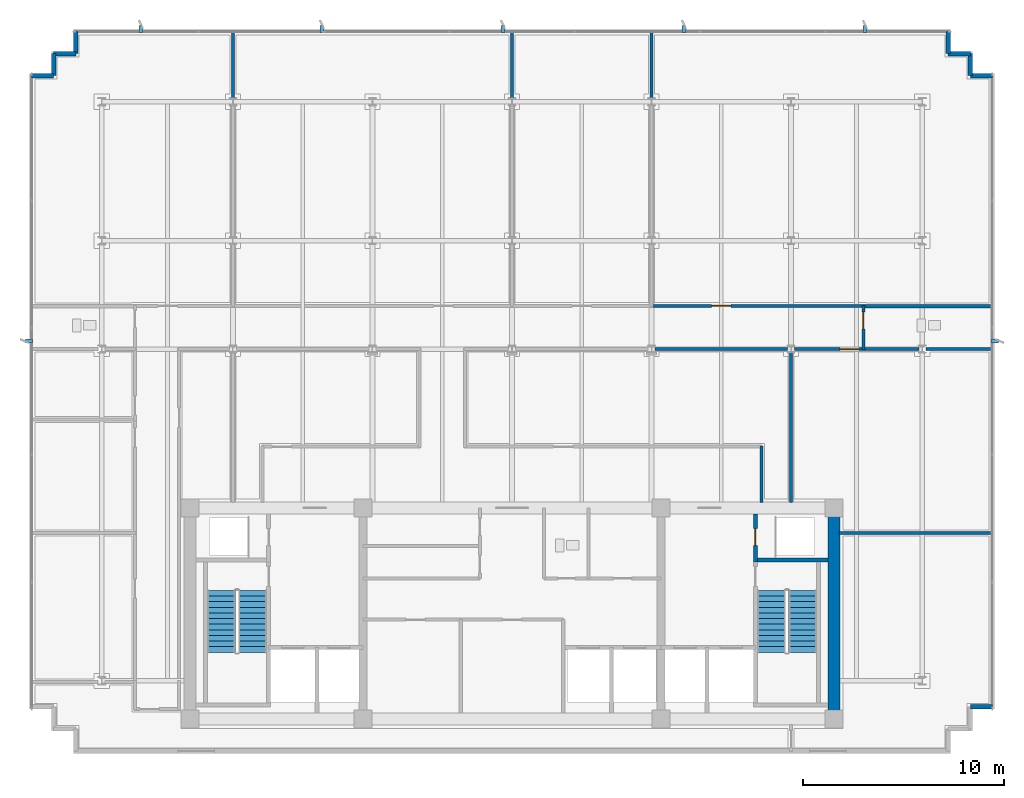
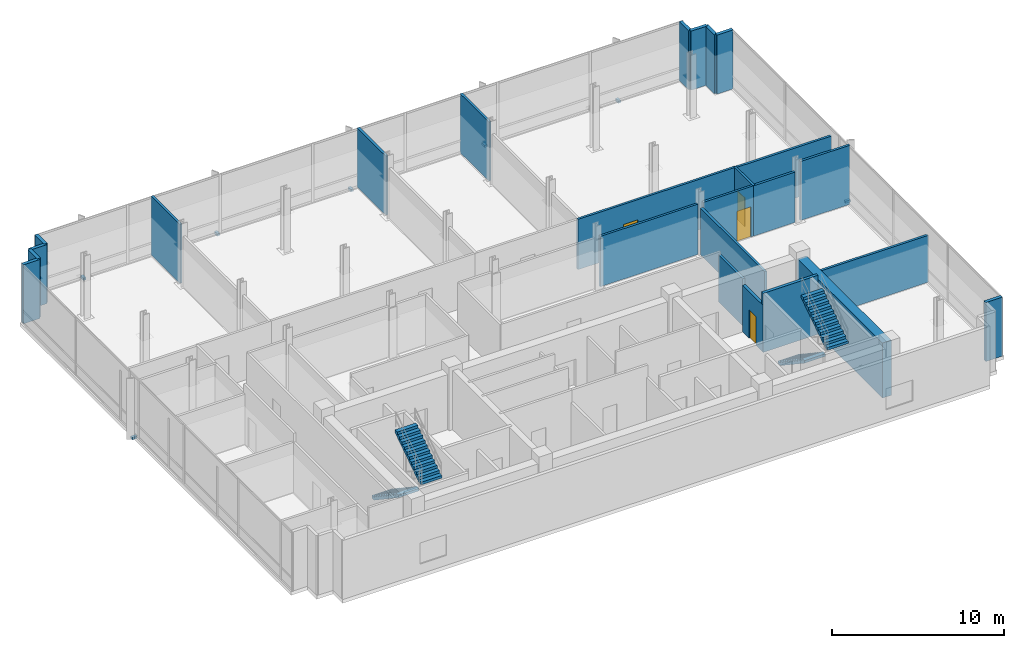
# One storey, part 12 of 17: 25 walls, 7 discrete accessories, 4 doors, 4 stair flights, 4 openings, 2 elements without a shape of their own.
"""IFC4 building model written with IfcOpenShell, lengths in metres."""

from ifc_helpers import new_model, si_unit, direction, frame, frame_2d, origin, origin_2d, place, context, subcontext, project, spatial, polyline, rectangle, outline, extrude, material, layer, layer_set, type_object, element, fill, aggregate, save


model = new_model("IFC4")

# Units and contexts
model_context = context("Model", 3, precision=1e-05, world=origin(), true_north=direction((0.0, 1.0)))
body_context = subcontext(model_context, "Body", "Model", "MODEL_VIEW")
ifc_project = project(units=[si_unit("LENGTHUNIT", "METRE"), si_unit("AREAUNIT", "SQUARE_METRE"), si_unit("VOLUMEUNIT", "CUBIC_METRE"), si_unit("PLANEANGLEUNIT", "RADIAN"), si_unit("MASSUNIT", "GRAM", prefix="KILO")], contexts=[model_context])

# Site, building, storey
site_placement = place(None, origin())
site = spatial("IfcSite", under=ifc_project, at=site_placement, CompositionType="ELEMENT")
building_placement = place(site_placement, origin())
building = spatial("IfcBuilding", under=site, at=building_placement, Name="Solmavex Isthmus Hotel", CompositionType="ELEMENT")
storey_placement = place(building_placement, frame((0.0, 0.0, 286.800048828125)))
storey = spatial("IfcBuildingStorey", under=building, at=storey_placement, Name="L78", CompositionType="ELEMENT", Elevation=286.800048828125)

# Walls
ifc_material_1 = material(Name="Precast Concrete C40/50", Category="concrete")
ifc_layer_1 = layer(ifc_material_1, 0.25)
ifc_layer_set_1 = layer_set([ifc_layer_1], Name="Precast Concrete C40/50")
wall_type_1 = type_object("IfcWallType", Name="EW-TWR-250", PredefinedType="STANDARD", material=ifc_layer_set_1)
wall_1_placement = place(storey_placement, frame((-23.889892578125, 18.989990234375, 0.0), z_axis=(0.0, 0.0, 1.0), x_axis=(1.0, 0.0, 0.0)))
element("IfcWall", 1, at=wall_1_placement, inside=storey, type_object=wall_type_1, Name="Serrated Corner Facade Panel L78-06", PredefinedType="STANDARD", context=body_context, shape_type="SweptSolid", body=[
    extrude(rectangle(XDim=1.099853515625, YDim=0.219970703125, at=frame_2d((0.5498046875, 0.0))), origin(), (0.0, 0.0, 1.0), 4.199951171875),
])
for number, where, z_axis, x_axis, name in (
    (2, (-22.7900390625, 18.989990234375, 0.0), (0.0, 0.0, 1.0), (0.0, 1.0, 0.0), "Serrated Corner Facade Panel L78-07"),
    (3, (-22.7900390625, 20.090087890625, 0.0), (0.0, 0.0, 1.0), (1.0, 0.0, 0.0), "Serrated Corner Facade Panel L78-08"),
):
    element("IfcWall", number, at=place(storey_placement, frame(where, z_axis=z_axis, x_axis=x_axis)), inside=storey, type_object=wall_type_1, Name=name, PredefinedType="STANDARD", context=body_context, shape_type="SweptSolid", body=[
        extrude(rectangle(XDim=1.10009765625, YDim=0.219970703125, at=frame_2d((0.550048828125, 0.0))), origin(), (0.0, 0.0, 1.0), 4.199951171875),
    ])
for number, where, z_axis, x_axis, name in (
    (4, (-21.68994140625, 20.090087890625, 0.0), (0.0, 0.0, 1.0), (0.0, 1.0, 0.0), "Serrated Corner Facade Panel L78-09"),
    (5, (21.68994140625, 21.18994140625, 0.0), (0.0, 0.0, 1.0), (0.0, -1.0, 0.0), "Serrated Corner Facade Panel L78-11"),
):
    element("IfcWall", number, at=place(storey_placement, frame(where, z_axis=z_axis, x_axis=x_axis)), inside=storey, type_object=wall_type_1, Name=name, PredefinedType="STANDARD", context=body_context, shape_type="SweptSolid", body=[
        extrude(rectangle(XDim=1.099853515625, YDim=0.219970703125, at=frame_2d((0.5498046875, 0.0))), origin(), (0.0, 0.0, 1.0), 4.199951171875),
    ])
for number, where, z_axis, x_axis, name in (
    (6, (21.68994140625, 20.090087890625, 0.0), (0.0, 0.0, 1.0), (1.0, 0.0, 0.0), "Serrated Corner Facade Panel L78-12"),
    (7, (22.7900390625, 20.090087890625, 0.0), (0.0, 0.0, 1.0), (0.0, -1.0, 0.0), "Serrated Corner Facade Panel L78-13"),
):
    element("IfcWall", number, at=place(storey_placement, frame(where, z_axis=z_axis, x_axis=x_axis)), inside=storey, type_object=wall_type_1, Name=name, PredefinedType="STANDARD", context=body_context, shape_type="SweptSolid", body=[
        extrude(rectangle(XDim=1.10009765625, YDim=0.219970703125, at=frame_2d((0.550048828125, 0.0))), origin(), (0.0, 0.0, 1.0), 4.199951171875),
    ])
for number, where, z_axis, x_axis, name in (
    (8, (22.7900390625, 18.989990234375, 0.0), (0.0, 0.0, 1.0), (1.0, 0.0, 0.0), "Serrated Corner Facade Panel L78-14"),
    (9, (23.889892578125, -12.389892578125, 0.0), (0.0, 0.0, 1.0), (-1.0, 0.0, 0.0), "Serrated Corner Facade Panel L78-16"),
):
    element("IfcWall", number, at=place(storey_placement, frame(where, z_axis=z_axis, x_axis=x_axis)), inside=storey, type_object=wall_type_1, Name=name, PredefinedType="STANDARD", context=body_context, shape_type="SweptSolid", body=[
        extrude(rectangle(XDim=1.099853515625, YDim=0.219970703125, at=frame_2d((0.5498046875, 0.0))), origin(), (0.0, 0.0, 1.0), 4.199951171875),
    ])
ifc_material_2 = material(Name="Gypsum plasterboard lining", Category="gypsum")
ifc_layer_2 = layer(ifc_material_2, 0.159912109375)
ifc_layer_set_2 = layer_set([ifc_layer_2], Name="Gypsum plasterboard lining")
wall_type_2 = type_object("IfcWallType", Name="IW-COMP-160", PredefinedType="PARTITIONING", material=ifc_layer_set_2)
for number, where, z_axis, x_axis, name in (
    (10, (-13.8720703125, 21.219970703125, 0.0), (0.0, 0.0, 1.0), (0.0, -1.0, 0.0), "Interior Partition Wall W-L78-P032"),
    (11, (0.0, 21.219970703125, 0.0), (0.0, 0.0, 1.0), (0.0, -1.0, 0.0), "Interior Partition Wall W-L78-P036"),
    (12, (6.93603515625, 21.219970703125, 0.0), (0.0, 0.0, 1.0), (0.0, -1.0, 0.0), "Interior Partition Wall W-L78-P039"),
):
    element("IfcWall", number, at=place(storey_placement, frame(where, z_axis=z_axis, x_axis=x_axis)), inside=storey, type_object=wall_type_2, Name=name, PredefinedType="PARTITIONING", context=body_context, shape_type="SweptSolid", body=[
        extrude(rectangle(XDim=3.344970703125, YDim=0.159912109375, at=frame_2d((1.67236328125, 0.0))), origin(), (0.0, 0.0, 1.0), 4.199951171875),
    ])
wall_2_placement = place(storey_placement, frame((23.919921875, 7.530029296875, 0.0), z_axis=(0.0, 0.0, 1.0), x_axis=(-1.0, 0.0, 0.0)))
element("IfcWall", 13, at=wall_2_placement, inside=storey, type_object=wall_type_2, Name="Interior Partition Wall W-L78-P040", PredefinedType="PARTITIONING", context=body_context, shape_type="SweptSolid", body=[
    extrude(rectangle(XDim=6.488037109375, YDim=0.159912109375, at=frame_2d((3.244140625, 0.0))), origin(), (0.0, 0.0, 1.0), 3.5673828125),
])
wall_3_placement = place(storey_placement, frame((20.22509765625, 5.39990234375, 0.0), z_axis=(0.0, 0.0, 1.0), x_axis=(-1.0, 0.0, 0.0)))
element("IfcWall", 14, at=wall_3_placement, inside=storey, type_object=wall_type_2, Name="Interior Partition Wall W-L78-P043", PredefinedType="PARTITIONING", context=body_context, shape_type="SweptSolid", body=[
    extrude(rectangle(XDim=2.793212890625, YDim=0.159912109375, at=frame_2d((1.396484375, 0.0))), origin(), (0.0, 0.0, 1.0), 3.582275390625),
])
wall_4_placement = place(storey_placement, frame((23.919921875, 5.39990234375, 0.0), z_axis=(0.0, 0.0, 1.0), x_axis=(-1.0, 0.0, 0.0)))
element("IfcWall", 15, at=wall_4_placement, inside=storey, type_object=wall_type_2, Name="Interior Partition Wall W-L78-P044", PredefinedType="PARTITIONING", context=body_context, shape_type="SweptSolid", body=[
    extrude(rectangle(XDim=3.344970703125, YDim=0.159912109375, at=frame_2d((1.67236328125, 0.0))), origin(), (0.0, 0.0, 1.0), 4.199951171875),
])
wall_5_placement = place(storey_placement, frame((16.260009765625, -3.75, 0.0), z_axis=(0.0, 0.0, 1.0), x_axis=(1.0, 0.0, 0.0)))
element("IfcWall", 16, at=wall_5_placement, inside=storey, type_object=wall_type_2, Name="Interior Partition Wall W-L78-P051", PredefinedType="PARTITIONING", context=body_context, shape_type="SweptSolid", body=[
    extrude(rectangle(XDim=7.659912109375, YDim=0.159912109375, at=frame_2d((3.830078125, 0.0))), origin(), (0.0, 0.0, 1.0), 3.3349609375),
])
wall_6_placement = place(storey_placement, frame((13.8720703125, 5.22509765625, 0.0), z_axis=(0.0, 0.0, 1.0), x_axis=(0.0, -1.0, 0.0)))
element("IfcWall", 17, at=wall_6_placement, inside=storey, type_object=wall_type_2, Name="Interior Partition Wall W-L78-P052", PredefinedType="PARTITIONING", context=body_context, shape_type="SweptSolid", body=[
    extrude(rectangle(XDim=7.465087890625, YDim=0.159912109375, at=frame_2d((3.732421875, 0.0))), origin(), (0.0, 0.0, 1.0), 3.3349609375),
])

# Wall, opening, door
ifc_layer_3 = layer(ifc_material_2, 0.14990234375)
ifc_layer_set_3 = layer_set([ifc_layer_3], Name="Gypsum plasterboard lining")
wall_type_3 = type_object("IfcWallType", Name="IW-CORR-150", PredefinedType="PARTITIONING", material=ifc_layer_set_3)
wall_7_placement = place(storey_placement, frame((6.85400390625, 7.550048828125, 0.0), z_axis=(0.0, 0.0, 1.0), x_axis=(1.0, 0.0, 0.0)))
wall_7 = element("IfcWall", 18, at=wall_7_placement, inside=storey, type_object=wall_type_3, Name="Interior Partition Wall W-L78-P004", PredefinedType="PARTITIONING", context=body_context, shape_type="SweptSolid", body=[
    extrude(rectangle(XDim=10.657958984375, YDim=0.14990234375, at=frame_2d((5.3291015625, 0.0))), origin(), (0.0, 0.0, 1.0), 3.582275390625),
])
opening_1_placement = place(wall_7_placement, frame((3.076904296875, 0.0, 0.0)))
opening_1 = element("IfcOpeningElement", 19, at=opening_1_placement, cuts=wall_7, Name="Opening ID-C095", PredefinedType="OPENING", context=body_context, shape_type="SweptSolid", body=[
    extrude(rectangle(XDim=0.949951171875, YDim=2.14990234375, at=frame_2d((0.47509765625, 1.074951171875))), frame((0.0, 0.0849609375, 0.0), z_axis=(0.0, -1.0, 0.0), x_axis=(1.0, 0.0, 0.0)), (0.0, 0.0, 1.0), 0.169921875),
])
ifc_material_3 = material(Name="Hardwood timber", Category="wood")
door_type_1 = type_object("IfcDoorType", Name="IDR-FD60-0950", OperationType="NOTDEFINED", PredefinedType="DOOR", material=ifc_material_3)
door_1_placement = place(opening_1_placement, origin())
door_1 = element("IfcDoor", 20, at=door_1_placement, inside=storey, type_object=door_type_1, Name="Corporate Briefing Office Door L78-04", OperationType="SINGLE_SWING_RIGHT", OverallHeight=2.14990234375, OverallWidth=0.949951171875, PredefinedType="DOOR", context=body_context, shape_type="SweptSolid", body=[
    extrude(rectangle(XDim=0.949951171875, YDim=2.14990234375, at=frame_2d((0.47509765625, 1.074951171875))), frame((0.0, 0.02490234375, 0.0), z_axis=(0.0, -1.0, 0.0), x_axis=(1.0, 0.0, 0.0)), (0.0, 0.0, 1.0), 0.050048828125),
])
fill(opening_1, door_1)

wall_8_placement = place(storey_placement, frame((17.471923828125, 7.570068359375, 0.0), z_axis=(0.0, 0.0, 1.0), x_axis=(0.0, -1.0, 0.0)))
wall_8 = element("IfcWall", 21, at=wall_8_placement, inside=storey, type_object=wall_type_3, Name="Interior Partition Wall W-L78-P006", PredefinedType="PARTITIONING", context=body_context, shape_type="SweptSolid", body=[
    extrude(rectangle(XDim=2.2099609375, YDim=0.14990234375, at=frame_2d((1.10498046875, 0.0))), origin(), (0.0, 0.0, 1.0), 3.582275390625),
])
opening_2_placement = place(wall_8_placement, frame((0.322265625, 0.0, 0.0)))
opening_2 = element("IfcOpeningElement", 22, at=opening_2_placement, cuts=wall_8, Name="Opening ID-R085", PredefinedType="OPENING", context=body_context, shape_type="SweptSolid", body=[
    extrude(rectangle(XDim=0.85009765625, YDim=2.050048828125, at=frame_2d((0.425048828125, 1.02490234375))), frame((0.0, 0.0849609375, 0.0), z_axis=(0.0, -1.0, 0.0), x_axis=(1.0, 0.0, 0.0)), (0.0, 0.0, 1.0), 0.169921875),
])
ifc_material_4 = material(Name="Steel ASTM A500 Grade C", Category="steel")
door_type_2 = type_object("IfcDoorType", Name="IDR-FD60-0850", OperationType="NOTDEFINED", PredefinedType="DOOR", material=ifc_material_4)
door_2_placement = place(opening_2_placement, frame((0.85009765625, 0.0, 0.0), z_axis=(0.0, 0.0, 1.0), x_axis=(-1.0, 0.0, 0.0)))
door_2 = element("IfcDoor", 23, at=door_2_placement, inside=storey, type_object=door_type_2, Name="Public Restroom WC Door L78-06", OperationType="SINGLE_SWING_RIGHT", OverallHeight=2.050048828125, OverallWidth=0.85009765625, PredefinedType="DOOR", context=body_context, shape_type="SweptSolid", body=[
    extrude(rectangle(XDim=0.85009765625, YDim=2.050048828125, at=frame_2d((0.425048828125, 1.02490234375))), frame((0.0, 0.02490234375, 0.0), z_axis=(0.0, -1.0, 0.0), x_axis=(1.0, 0.0, 0.0)), (0.0, 0.0, 1.0), 0.050048828125),
])
fill(opening_2, door_2)

# Walls
wall_9_placement = place(storey_placement, frame((13.697021484375, 5.39990234375, 0.0), z_axis=(0.0, 0.0, 1.0), x_axis=(-1.0, 0.0, 0.0)))
element("IfcWall", 24, at=wall_9_placement, inside=storey, type_object=wall_type_3, Name="Interior Partition Wall W-L78-P021", PredefinedType="PARTITIONING", context=body_context, shape_type="SweptSolid", body=[
    extrude(rectangle(XDim=6.5859375, YDim=0.14990234375, at=frame_2d((3.29296875, 0.0))), origin(), (0.0, 0.0, 1.0), 3.582275390625),
])
wall_10_placement = place(storey_placement, frame((12.39990234375, 0.590087890625, 0.0), z_axis=(0.0, 0.0, 1.0), x_axis=(0.0, -1.0, 0.0)))
element("IfcWall", 25, at=wall_10_placement, inside=storey, type_object=wall_type_3, Name="Interior Partition Wall W-L78-P028", PredefinedType="PARTITIONING", context=body_context, shape_type="SweptSolid", body=[
    extrude(rectangle(XDim=2.830078125, YDim=0.14990234375, at=frame_2d((1.4150390625, 0.0))), origin(), (0.0, 0.0, 1.0), 3.3349609375),
])

# Wall, opening, door
wall_11_placement = place(storey_placement, frame((17.511962890625, 5.39990234375, 0.0), z_axis=(0.0, 0.0, 1.0), x_axis=(-1.0, 0.0, 0.0)))
wall_11 = element("IfcWall", 26, at=wall_11_placement, inside=storey, type_object=wall_type_3, Name="Interior Partition Wall W-L78-P029", PredefinedType="PARTITIONING", context=body_context, shape_type="SweptSolid", body=[
    extrude(rectangle(XDim=3.46484375, YDim=0.14990234375, at=frame_2d((1.732421875, 0.0))), origin(), (0.0, 0.0, 1.0), 3.582275390625),
])
opening_3_placement = place(wall_11_placement, frame((0.26220703125, 0.0, 0.0)))
opening_3 = element("IfcOpeningElement", 27, at=opening_3_placement, cuts=wall_11, Name="Opening ID-C095", PredefinedType="OPENING", context=body_context, shape_type="SweptSolid", body=[
    extrude(rectangle(XDim=0.949951171875, YDim=2.14990234375, at=frame_2d((0.47509765625, 1.074951171875))), frame((0.0, 0.0849609375, 0.0), z_axis=(0.0, -1.0, 0.0), x_axis=(1.0, 0.0, 0.0)), (0.0, 0.0, 1.0), 0.169921875),
])
door_3_placement = place(opening_3_placement, origin())
door_3 = element("IfcDoor", 28, at=door_3_placement, inside=storey, type_object=door_type_1, Name="VIP Boardroom Door L78-15", OperationType="SINGLE_SWING_LEFT", OverallHeight=2.14990234375, OverallWidth=0.949951171875, PredefinedType="DOOR", context=body_context, shape_type="SweptSolid", body=[
    extrude(rectangle(XDim=0.949951171875, YDim=2.14990234375, at=frame_2d((0.47509765625, 1.074951171875))), frame((0.0, 0.02490234375, 0.0), z_axis=(0.0, -1.0, 0.0), x_axis=(1.0, 0.0, 0.0)), (0.0, 0.0, 1.0), 0.050048828125),
])
fill(opening_3, door_3)

ifc_material_5 = material(Name="Concrete C40/50", Category="concrete")
ifc_layer_4 = layer(ifc_material_5, 0.199951171875)
ifc_layer_set_4 = layer_set([ifc_layer_4], Name="Concrete C40/50")
wall_type_4 = type_object("IfcWallType", Name="IW-SHAFT-200", PredefinedType="PARTITIONING", material=ifc_layer_set_4)
wall_12_placement = place(storey_placement, frame((12.10009765625, -5.199951171875, 0.0), z_axis=(0.0, 0.0, 1.0), x_axis=(0.0, 1.0, 0.0)))
wall_12 = element("IfcWall", 29, at=wall_12_placement, inside=storey, type_object=wall_type_4, Name="Interior Partition Wall W-L78-RSE-W", PredefinedType="PARTITIONING", context=body_context, shape_type="SweptSolid", body=[
    extrude(rectangle(XDim=2.39990234375, YDim=0.199951171875, at=frame_2d((1.199951171875, 0.0))), origin(), (0.0, 0.0, 1.0), 3.3349609375),
])
opening_4_placement = place(wall_12_placement, frame((0.824951171875, 0.0, 0.0)))
opening_4 = element("IfcOpeningElement", 30, at=opening_4_placement, cuts=wall_12, Name="Opening ID-R085", PredefinedType="OPENING", context=body_context, shape_type="SweptSolid", body=[
    extrude(rectangle(XDim=0.85009765625, YDim=2.050048828125, at=frame_2d((0.425048828125, 1.02490234375))), frame((0.0, 0.10986328125, 0.0), z_axis=(0.0, -1.0, 0.0), x_axis=(1.0, 0.0, 0.0)), (0.0, 0.0, 1.0), 0.219970703125),
])
door_4_placement = place(opening_4_placement, frame((0.85009765625, 0.0, 0.0), z_axis=(0.0, 0.0, 1.0), x_axis=(-1.0, 0.0, 0.0)))
door_4 = element("IfcDoor", 31, at=door_4_placement, inside=storey, type_object=door_type_2, Name="Mechanical Riser Door L78", OperationType="SINGLE_SWING_LEFT", OverallHeight=2.050048828125, OverallWidth=0.85009765625, PredefinedType="DOOR", context=body_context, shape_type="SweptSolid", body=[
    extrude(rectangle(XDim=0.85009765625, YDim=2.050048828125, at=frame_2d((0.425048828125, 1.02490234375))), frame((0.0, 0.02490234375, 0.0), z_axis=(0.0, -1.0, 0.0), x_axis=(1.0, 0.0, 0.0)), (0.0, 0.0, 1.0), 0.050048828125),
])
fill(opening_4, door_4)

# Walls
ifc_material_6 = material(Name="Concrete C50/60", Category="concrete")
ifc_layer_5 = layer(ifc_material_6, 0.60009765625)
ifc_layer_set_5 = layer_set([ifc_layer_5], Name="Concrete C50/60")
wall_type_5 = type_object("IfcWallType", Name="WALL-CW-600", PredefinedType="SHEAR", material=ifc_layer_set_5)
wall_13_placement = place(storey_placement, frame((16.0, -12.699951171875, 0.0), z_axis=(0.0, 0.0, 1.0), x_axis=(0.0, 1.0, 0.0)))
element("IfcWall", 32, at=wall_13_placement, inside=storey, type_object=wall_type_5, Name="Core Shear Wall East L78", PredefinedType="SHEAR", context=body_context, shape_type="SweptSolid", body=[
    extrude(rectangle(XDim=9.89990234375, YDim=0.60009765625, at=frame_2d((4.949951171875, 0.0))), origin(), (0.0, 0.0, 1.0), 3.919921875),
])
ifc_layer_6 = layer(ifc_material_5, 0.199951171875)
ifc_layer_set_6 = layer_set([ifc_layer_6], Name="Concrete C40/50")
wall_type_6 = type_object("IfcWallType", Name="WALL-SW-200", PredefinedType="SOLIDWALL", material=ifc_layer_set_6)
wall_14_placement = place(storey_placement, frame((12.0, -5.10009765625, 0.0), z_axis=(0.0, 0.0, 1.0), x_axis=(1.0, 0.0, 0.0)))
element("IfcWall", 33, at=wall_14_placement, inside=storey, type_object=wall_type_6, Name="Stairwell Structural Wall SW-L78-ST2-N", PredefinedType="SOLIDWALL", context=body_context, shape_type="SweptSolid", body=[
    extrude(rectangle(XDim=3.699951171875, YDim=0.199951171875, at=frame_2d((1.85009765625, 0.0))), origin(), (0.0, 0.0, 1.0), 4.199951171875),
])

# Stair, stair flights
stair_type_1 = type_object("IfcStairType", Name="STR-ST-1", PredefinedType="HALF_TURN_STAIR", material=ifc_material_5)
stair_1_placement = place(storey_placement, origin())
stair_1 = element("IfcStair", 34, at=stair_1_placement, inside=storey, type_object=stair_type_1, Name="L78 Protected Exit Stair ST-1", PredefinedType="HALF_TURN_STAIR")
stair_flight_type_1 = type_object("IfcStairFlightType", Name="SFL-ST-1", PredefinedType="STRAIGHT", material=ifc_material_5)
stair_flight_1_placement = place(storey_placement, frame((-14.449951171875, -6.60009765625, 0.0), z_axis=(0.0, 0.0, 1.0), x_axis=(0.0, -1.0, 0.0)))
stair_flight_1 = element("IfcStairFlight", 35, at=stair_flight_1_placement, type_object=stair_flight_type_1, Name="ST-1 flight 1", NumberOfRisers=12, NumberOfTreads=11, PredefinedType="STRAIGHT", RiserHeight=0.1875, TreadLength=0.28, context=body_context, shape_type="SweptSolid", body=[
    extrude(outline(polyline([(0.0, 0.0), (0.0, 0.1875), (0.280029296875, 0.1875), (0.280029296875, 0.375), (0.56005859375, 0.375), (0.56005859375, 0.5625), (0.840087890625, 0.5625), (0.840087890625, 0.75), (1.1201171875, 0.75), (1.1201171875, 0.9375), (1.39990234375, 0.9375), (1.39990234375, 1.125), (1.679931640625, 1.125), (1.679931640625, 1.3125), (1.9599609375, 1.3125), (1.9599609375, 1.5), (2.239990234375, 1.5), (2.239990234375, 1.6875), (2.52001953125, 1.6875), (2.52001953125, 1.875), (2.800048828125, 1.875), (2.800048828125, 2.0625), (3.080078125, 2.0625), (3.080078125, 2.25), (3.080078125, 1.882080078125), (0.26953125, 0.0), (0.0, 0.0)])), frame((0.0, 0.699951171875, 0.0), z_axis=(0.0, -1.0, 0.0), x_axis=(1.0, 0.0, 0.0)), (0.0, 0.0, 1.0), 1.39990234375),
])
stair_flight_2_placement = place(storey_placement, frame((-12.89990234375, -9.679931640625, 2.25), z_axis=(0.0, 0.0, 1.0), x_axis=(0.0, 1.0, 0.0)))
stair_flight_2 = element("IfcStairFlight", 36, at=stair_flight_2_placement, type_object=stair_flight_type_1, Name="ST-1 flight 2", NumberOfRisers=12, NumberOfTreads=11, PredefinedType="STRAIGHT", RiserHeight=0.1875, TreadLength=0.28, context=body_context, shape_type="SweptSolid", body=[
    extrude(outline(polyline([(0.0, 0.0), (0.0, 0.1875), (0.280029296875, 0.1875), (0.280029296875, 0.375), (0.56005859375, 0.375), (0.56005859375, 0.5625), (0.840087890625, 0.5625), (0.840087890625, 0.75), (1.1201171875, 0.75), (1.1201171875, 0.9375), (1.39990234375, 0.9375), (1.39990234375, 1.125), (1.679931640625, 1.125), (1.679931640625, 1.3125), (1.9599609375, 1.3125), (1.9599609375, 1.5), (2.239990234375, 1.5), (2.239990234375, 1.6875), (2.52001953125, 1.6875), (2.52001953125, 1.875), (2.800048828125, 1.875), (2.800048828125, 2.0625), (3.080078125, 2.0625), (3.080078125, 2.25), (3.080078125, 1.882080078125), (0.26953125, 0.0), (0.0, 0.0)])), frame((0.0, 0.699951171875, 0.0), z_axis=(0.0, -1.0, 0.0), x_axis=(1.0, 0.0, 0.0)), (0.0, 0.0, 1.0), 1.39990234375),
])
aggregate(stair_1, [stair_flight_1, stair_flight_2])

stair_type_2 = type_object("IfcStairType", Name="STR-ST-2", PredefinedType="HALF_TURN_STAIR", material=ifc_material_5)
stair_2_placement = place(storey_placement, origin())
stair_2 = element("IfcStair", 37, at=stair_2_placement, inside=storey, type_object=stair_type_2, Name="L78 Protected Exit Stair ST-2", PredefinedType="HALF_TURN_STAIR")
stair_flight_type_2 = type_object("IfcStairFlightType", Name="SFL-ST-2", PredefinedType="STRAIGHT", material=ifc_material_5)
stair_flight_3_placement = place(storey_placement, frame((12.89990234375, -6.60009765625, 0.0), z_axis=(0.0, 0.0, 1.0), x_axis=(0.0, -1.0, 0.0)))
stair_flight_3 = element("IfcStairFlight", 38, at=stair_flight_3_placement, type_object=stair_flight_type_2, Name="ST-2 flight 1", NumberOfRisers=12, NumberOfTreads=11, PredefinedType="STRAIGHT", RiserHeight=0.1875, TreadLength=0.28, context=body_context, shape_type="SweptSolid", body=[
    extrude(outline(polyline([(0.0, 0.0), (0.0, 0.1875), (0.280029296875, 0.1875), (0.280029296875, 0.375), (0.56005859375, 0.375), (0.56005859375, 0.5625), (0.840087890625, 0.5625), (0.840087890625, 0.75), (1.1201171875, 0.75), (1.1201171875, 0.9375), (1.39990234375, 0.9375), (1.39990234375, 1.125), (1.679931640625, 1.125), (1.679931640625, 1.3125), (1.9599609375, 1.3125), (1.9599609375, 1.5), (2.239990234375, 1.5), (2.239990234375, 1.6875), (2.52001953125, 1.6875), (2.52001953125, 1.875), (2.800048828125, 1.875), (2.800048828125, 2.0625), (3.080078125, 2.0625), (3.080078125, 2.25), (3.080078125, 1.882080078125), (0.26953125, 0.0), (0.0, 0.0)])), frame((0.0, 0.699951171875, 0.0), z_axis=(0.0, -1.0, 0.0), x_axis=(1.0, 0.0, 0.0)), (0.0, 0.0, 1.0), 1.39990234375),
])
stair_flight_4_placement = place(storey_placement, frame((14.449951171875, -9.679931640625, 2.25), z_axis=(0.0, 0.0, 1.0), x_axis=(0.0, 1.0, 0.0)))
stair_flight_4 = element("IfcStairFlight", 39, at=stair_flight_4_placement, type_object=stair_flight_type_2, Name="ST-2 flight 2", NumberOfRisers=12, NumberOfTreads=11, PredefinedType="STRAIGHT", RiserHeight=0.1875, TreadLength=0.28, context=body_context, shape_type="SweptSolid", body=[
    extrude(outline(polyline([(0.0, 0.0), (0.0, 0.1875), (0.280029296875, 0.1875), (0.280029296875, 0.375), (0.56005859375, 0.375), (0.56005859375, 0.5625), (0.840087890625, 0.5625), (0.840087890625, 0.75), (1.1201171875, 0.75), (1.1201171875, 0.9375), (1.39990234375, 0.9375), (1.39990234375, 1.125), (1.679931640625, 1.125), (1.679931640625, 1.3125), (1.9599609375, 1.3125), (1.9599609375, 1.5), (2.239990234375, 1.5), (2.239990234375, 1.6875), (2.52001953125, 1.6875), (2.52001953125, 1.875), (2.800048828125, 1.875), (2.800048828125, 2.0625), (3.080078125, 2.0625), (3.080078125, 2.25), (3.080078125, 1.882080078125), (0.26953125, 0.0), (0.0, 0.0)])), frame((0.0, 0.699951171875, 0.0), z_axis=(0.0, -1.0, 0.0), x_axis=(1.0, 0.0, 0.0)), (0.0, 0.0, 1.0), 1.39990234375),
])
aggregate(stair_2, [stair_flight_3, stair_flight_4])

# Discrete accessories
ifc_material_7 = material(Name="Steel ASTM A572 Grade 50", Category="steel")
discrete_accessory_type = type_object("IfcDiscreteAccessoryType", Name="ACC-BRK-FIN", PredefinedType="BRACKET", material=ifc_material_7)
for number, where, z_axis, x_axis, name in (
    (40, (-18.449951171875, 21.320068359375, -0.169921875), (0.0, 0.0, 1.0), (0.0, 1.0, 0.0), "Facade Fin Support Bracket L78-N1"),
    (41, (-9.449951171875, 21.320068359375, -0.169921875), (0.0, 0.0, 1.0), (0.0, 1.0, 0.0), "Facade Fin Support Bracket L78-N2"),
    (42, (-0.449951171875, 21.320068359375, -0.169921875), (0.0, 0.0, 1.0), (0.0, 1.0, 0.0), "Facade Fin Support Bracket L78-N3"),
    (43, (8.550048828125, 21.320068359375, -0.169921875), (0.0, 0.0, 1.0), (0.0, 1.0, 0.0), "Facade Fin Support Bracket L78-N4"),
    (44, (17.550048828125, 21.320068359375, -0.169921875), (0.0, 0.0, 1.0), (0.0, 1.0, 0.0), "Facade Fin Support Bracket L78-N5"),
    (45, (-24.02001953125, 5.800048828125, -0.169921875), (0.0, 0.0, 1.0), (-1.0, 0.0, 0.0), "Facade Fin Support Bracket L78-W1"),
    (46, (24.02001953125, 5.800048828125, -0.169921875), (0.0, 0.0, 1.0), (1.0, 0.0, 0.0), "Facade Fin Support Bracket L78-E1"),
):
    element("IfcDiscreteAccessory", number, at=place(storey_placement, frame(where, z_axis=z_axis, x_axis=x_axis)), inside=storey, type_object=discrete_accessory_type, Name=name, PredefinedType="BRACKET", context=body_context, shape_type="SweptSolid", body=[
        extrude(rectangle(XDim=0.340087890625, YDim=0.179931640625, at=origin_2d()), origin(), (0.0, 0.0, 1.0), 0.159912109375),
    ])

save(model, "model.ifc")
